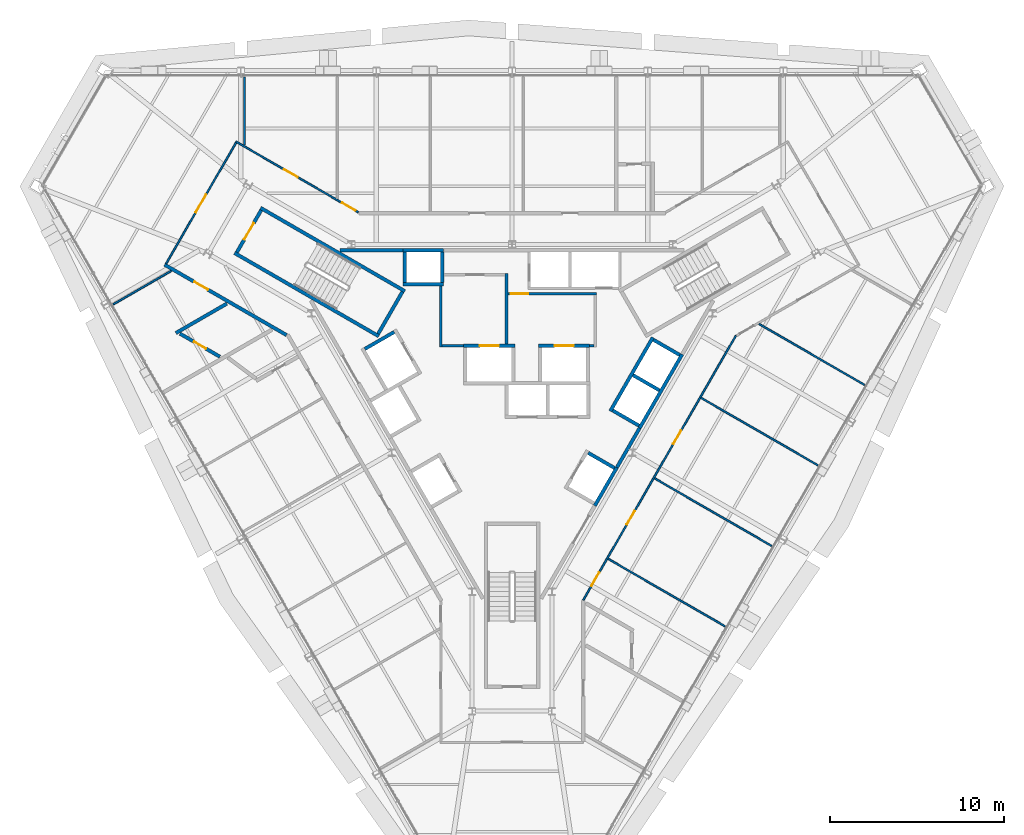
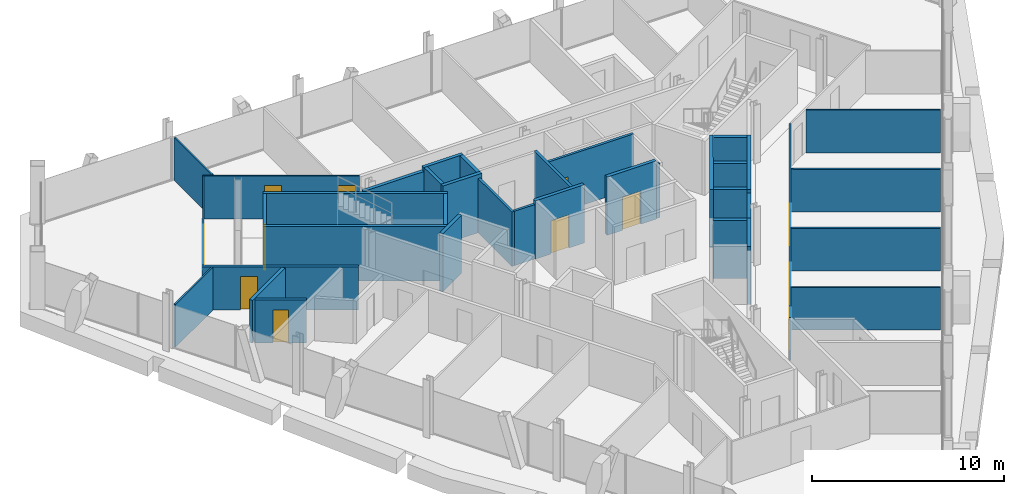
# One storey, part 13 of 17: 37 walls, 12 doors, 12 openings.
"""IFC4 building model written with IfcOpenShell, lengths in metres."""

import ifcopenshell
import ifcopenshell.guid

model = None  # the IFC model being written
_history = None  # IfcOwnerHistory: only IFC2X3 demands one
_inside = {}  # id of a spatial element -> (the spatial element, [elements in it])
_under = {}  # id of a project, library or spatial element -> (it, [spatial elements below it])
_declared = {}  # id of a project -> (the project, [libraries it declares])
_typed = {}  # id of a type object -> (the type object, [elements of that type])
_made_of = {}  # id of a material, layer set ... -> (it, [elements and type objects made of it])


def new_model(schema):
    """Start an empty IFC model of exactly this schema.

    Asked for "IFC4X3", IfcOpenShell would pick the latest addendum, in which some entities
    have other attributes; the version numbers below select the first issue.
    IFC2X3 requires an IfcOwnerHistory on every rooted entity: one is made here for all.
    """
    global model, _history
    if schema == "IFC4X3":
        model = ifcopenshell.file(schema_version=(4, 3, 0, 0))
    else:
        model = ifcopenshell.file(schema=schema)
    _inside.clear()
    _under.clear()
    _declared.clear()
    _typed.clear()
    _made_of.clear()
    _history = None
    if model.schema == "IFC2X3":
        org = make("IfcOrganization", Name="unknown")
        user = make(
            "IfcPersonAndOrganization",
            ThePerson=make("IfcPerson", FamilyName="unknown"),
            TheOrganization=org,
        )
        app = make(
            "IfcApplication",
            ApplicationDeveloper=org,
            Version="unknown",
            ApplicationFullName="unknown",
            ApplicationIdentifier="unknown",
        )
        _history = make(
            "IfcOwnerHistory",
            OwningUser=user,
            OwningApplication=app,
            ChangeAction="ADDED",
            CreationDate=0,
        )
    return model


def make(cls, **values):
    """One entity of the class cls with the attributes given. An attribute that is None is left unset."""
    return model.create_entity(
        cls, **{name: value for name, value in values.items() if value is not None}
    )


def rooted(cls, **values):
    """An entity with a GlobalId (a new one), such as an element, a storey or a relation."""
    return make(cls, GlobalId=ifcopenshell.guid.new(), OwnerHistory=_history, **values)


def si_unit(unit_type, name, prefix=None):
    """IfcSIUnit, for example si_unit("LENGTHUNIT", "METRE", prefix="MILLI")."""
    return make("IfcSIUnit", UnitType=unit_type, Prefix=prefix, Name=name)


def assignment(units):
    """IfcUnitAssignment: the units of a project."""
    return None if units is None else make("IfcUnitAssignment", Units=units)


def point(xyz):
    """IfcCartesianPoint."""
    return None if xyz is None else make("IfcCartesianPoint", Coordinates=xyz)


def direction(xyz):
    """IfcDirection."""
    return None if xyz is None else make("IfcDirection", DirectionRatios=xyz)


def frame(location, z_axis=None, x_axis=None):
    """IfcAxis2Placement3D, a coordinate frame: its origin and axes. An axis left out is left unset."""
    return make(
        "IfcAxis2Placement3D",
        Location=point(location),
        Axis=direction(z_axis),
        RefDirection=direction(x_axis),
    )


def frame_2d(location, x_axis=None):
    """IfcAxis2Placement2D, a coordinate frame in the plane: its origin and x axis."""
    return make(
        "IfcAxis2Placement2D", Location=point(location), RefDirection=direction(x_axis)
    )


def origin():
    """The frame at (0, 0, 0) with its axes left unset."""
    return frame((0.0, 0.0, 0.0))


def place(relative_to, where):
    """IfcLocalPlacement: puts the frame where relative to a parent placement (None: the world)."""
    return make(
        "IfcLocalPlacement", PlacementRelTo=relative_to, RelativePlacement=where
    )


def context(
    kind, dimensions, precision=None, world=None, true_north=None, identifier=None
):
    """IfcGeometricRepresentationContext, for example the 3D "Model" context."""
    return make(
        "IfcGeometricRepresentationContext",
        ContextIdentifier=identifier,
        ContextType=kind,
        CoordinateSpaceDimension=dimensions,
        Precision=precision,
        WorldCoordinateSystem=world,
        TrueNorth=true_north,
    )


def subcontext(parent, identifier, kind, view, scale=None):
    """IfcGeometricRepresentationSubContext, for example "Body" below "Model"."""
    return make(
        "IfcGeometricRepresentationSubContext",
        ContextIdentifier=identifier,
        ContextType=kind,
        ParentContext=parent,
        TargetScale=scale,
        TargetView=view,
    )


def project(units=None, contexts=None):
    """IfcProject with its units and contexts."""
    return rooted(
        "IfcProject",
        Name="project",
        RepresentationContexts=contexts,
        UnitsInContext=assignment(units),
    )


def spatial(cls, under=None, at=None, **own):
    """A site, building, storey or space (cls), placed at a placement, below another one or the project."""
    s = rooted(cls, ObjectPlacement=at, **own)
    if under is not None:
        _under.setdefault(under.id(), (under, []))[1].append(s)
    return s


def profile(cls, at=None, kind="AREA", **sizes):
    """A parametric profile (cls). Its sizes go by their IFC names, for example OverallWidth=200.0."""
    return make(cls, ProfileType=kind, Position=at, **sizes)


def rectangle(**sizes):
    """IfcRectangleProfileDef."""
    return profile("IfcRectangleProfileDef", **sizes)


def extrude(swept, where, along, depth):
    """IfcExtrudedAreaSolid: the profile swept, set in the frame where, extruded along a direction by depth."""
    return make(
        "IfcExtrudedAreaSolid",
        SweptArea=swept,
        Position=where,
        ExtrudedDirection=direction(along),
        Depth=depth,
    )


def shape(context_of_items, identifier, shape_type, items):
    """IfcShapeRepresentation: the items that make up one representation, for example the "Body"."""
    return make(
        "IfcShapeRepresentation",
        ContextOfItems=context_of_items,
        RepresentationIdentifier=identifier,
        RepresentationType=shape_type,
        Items=items,
    )


def material(Name=None, Category=None):
    """IfcMaterial."""
    return make("IfcMaterial", Name=Name, Category=Category)


def layer(
    of_material, thickness, ventilated=None, Name=None, Category=None, Priority=None
):
    """IfcMaterialLayer: one layer of a wall or slab, of a material (None: an air gap)."""
    return make(
        "IfcMaterialLayer",
        Material=of_material,
        LayerThickness=thickness,
        IsVentilated=ventilated,
        Name=Name,
        Category=Category,
        Priority=Priority,
    )


def layer_set(layers, Name=None):
    """IfcMaterialLayerSet."""
    return make("IfcMaterialLayerSet", MaterialLayers=layers, LayerSetName=Name)


def made_of(thing, what):
    """Note that an element or type object is made of a material, layer set ...; save() writes the relation."""
    if what is not None:
        _made_of.setdefault(what.id(), (what, []))[1].append(thing)
    return thing


def type_object(cls, material=None, **own):
    """A type object (cls), such as IfcWallType, which elements share."""
    return made_of(rooted(cls, **own), material)


def element(
    cls,
    number,
    at=None,
    inside=None,
    cuts=None,
    type_object=None,
    material=None,
    context=None,
    identifier="Body",
    shape_type=None,
    held_by="IfcProductDefinitionShape",
    body=None,
    shapes=None,
    **own,
):
    """One element of the class cls, such as IfcWall. Its Tag is "e" and its number.

    at: its placement. inside: the storey or other place that contains it. cuts: it is an
    opening in that element (IfcRelVoidsElement). A single representation is given by context,
    identifier, shape_type and body (its items); several are given by shapes. held_by: the class
    of the entity that holds the representations. save() writes the other relations.
    """
    e = rooted(cls, Tag="e%d" % number, ObjectPlacement=at, **own)
    if body is not None:
        shapes = [shape(context, identifier, shape_type, body)]
    if shapes is not None:
        e.Representation = make(held_by, Representations=shapes)
    if inside is not None:
        _inside.setdefault(inside.id(), (inside, []))[1].append(e)
    if cuts is not None:
        rooted(
            "IfcRelVoidsElement", RelatingBuildingElement=cuts, RelatedOpeningElement=e
        )
    if type_object is not None:
        _typed.setdefault(type_object.id(), (type_object, []))[1].append(e)
    return made_of(e, material)


def fill(opening, filler):
    """IfcRelFillsElement: the door or window that sits in an opening."""
    return rooted(
        "IfcRelFillsElement",
        RelatingOpeningElement=opening,
        RelatedBuildingElement=filler,
    )


def aggregate(whole, parts):
    """IfcRelAggregates: a whole, such as a stair, and the parts it consists of."""
    return rooted("IfcRelAggregates", RelatingObject=whole, RelatedObjects=parts)


def save(model, path):
    """Write the relations noted so far, then the file.

    IfcRelAggregates (storeys below a building ...), IfcRelContainedInSpatialStructure (elements
    in a storey), IfcRelDefinesByType, IfcRelAssociatesMaterial and IfcRelDeclares: one each for
    every whole, place, type object, material and project.
    """
    for whole, parts in _under.values():
        aggregate(whole, parts)
    for where, things in _inside.values():
        rooted(
            "IfcRelContainedInSpatialStructure",
            RelatedElements=things,
            RelatingStructure=where,
        )
    for kind, things in _typed.values():
        rooted("IfcRelDefinesByType", RelatedObjects=things, RelatingType=kind)
    for what, things in _made_of.values():
        rooted("IfcRelAssociatesMaterial", RelatedObjects=things, RelatingMaterial=what)
    for by, libraries in _declared.values():
        rooted("IfcRelDeclares", RelatingContext=by, RelatedDefinitions=libraries)
    model.write(path)


model = new_model("IFC4")

# Units and contexts
model_context = context("Model", 3, precision=1e-05, world=origin(), true_north=direction((0.0, 1.0)))
body_context = subcontext(model_context, "Body", "Model", "MODEL_VIEW")
ifc_project = project(units=[si_unit("LENGTHUNIT", "METRE"), si_unit("AREAUNIT", "SQUARE_METRE"), si_unit("VOLUMEUNIT", "CUBIC_METRE"), si_unit("PLANEANGLEUNIT", "RADIAN"), si_unit("MASSUNIT", "GRAM", prefix="KILO")], contexts=[model_context])

# Site, building, storey
site_placement = place(None, origin())
site = spatial("IfcSite", under=ifc_project, at=site_placement, CompositionType="ELEMENT")
building_placement = place(site_placement, origin())
building = spatial("IfcBuilding", under=site, at=building_placement, Name="Verrane Prism Tower", CompositionType="ELEMENT")
storey_placement = place(building_placement, frame((0.0, 0.0, 182.10009765625)))
storey = spatial("IfcBuildingStorey", under=building, at=storey_placement, Name="L45", CompositionType="ELEMENT", Elevation=182.10009765625)

# Walls
ifc_material_1 = material(Name="Gypsum board partition", Category="other")
ifc_layer_1 = layer(ifc_material_1, 0.199951171875)
ifc_layer_set_1 = layer_set([ifc_layer_1], Name="CW-200 core boundary wall 2 h")
wall_type_1 = type_object("IfcWallType", Name="CW-200 core boundary wall 2 h", PredefinedType="PARTITIONING", material=ifc_layer_set_1)
wall_1_placement = place(storey_placement, frame((-9.907958984375, 7.659912109375, 0.0), z_axis=(0.0, 0.0, 1.0), x_axis=(1.0, 0.0, 0.0)))
element("IfcWall", 1, at=wall_1_placement, inside=storey, type_object=wall_type_1, Name="Core boundary wall CW3-002", PredefinedType="PARTITIONING", context=body_context, shape_type="SweptSolid", body=[
    extrude(rectangle(XDim=3.620849609375, YDim=0.199951171875, at=frame_2d((1.810546875, 0.0))), origin(), (0.0, 0.0, 1.0), 3.449951171875),
])
wall_2_placement = place(storey_placement, frame((6.0419921875, -4.85498046875, 0.0), z_axis=(0.0, 0.0, 1.0), x_axis=(0.500252727967, 0.865879442048, 0.0)))
element("IfcWall", 2, at=wall_2_placement, inside=storey, type_object=wall_type_1, Name="Core boundary wall CW3-007", PredefinedType="PARTITIONING", context=body_context, shape_type="SweptSolid", body=[
    extrude(rectangle(XDim=2.616943359375, YDim=0.199951171875, at=frame_2d((1.30859375, 0.0))), origin(), (0.0, 0.0, 1.0), 3.449951171875),
])

# Wall, opening, door
ifc_material_2 = material(Name="Concrete C40/50", Category="concrete")
ifc_layer_2 = layer(ifc_material_2, 0.199951171875)
ifc_layer_set_2 = layer_set([ifc_layer_2], Name="CW-200 stair core wall concrete C40/50 3 h")
wall_type_2 = type_object("IfcWallType", Name="CW-200 stair core wall concrete C40/50 3 h", PredefinedType="PARTITIONING", material=ifc_layer_set_2)
wall_3_placement = place(storey_placement, frame((-14.455322265625, 9.96240234375, 0.0), z_axis=(0.0, 0.0, 1.0), x_axis=(-0.500049511043, -0.865996816683, 0.0)))
wall_3 = element("IfcWall", 3, at=wall_3_placement, inside=storey, type_object=wall_type_2, Name="Stair 2 enclosure wall", PredefinedType="PARTITIONING", context=body_context, shape_type="SweptSolid", body=[
    extrude(rectangle(XDim=2.800048828125, YDim=0.199951171875, at=frame_2d((1.39990234375, 0.0))), origin(), (0.0, 0.0, 1.0), 3.449951171875),
])
opening_1_placement = place(wall_3_placement, frame((0.849853515625, 0.0, 0.0)))
opening_1 = element("IfcOpeningElement", 4, at=opening_1_placement, cuts=wall_3, Name="Opening D44501", PredefinedType="OPENING", context=body_context, shape_type="SweptSolid", body=[
    extrude(rectangle(XDim=1.10009765625, YDim=2.10009765625, at=frame_2d((0.550048828125, 1.050048828125))), frame((0.0, 0.10986328125, 0.0), z_axis=(0.0, -1.0, 0.0), x_axis=(1.0, 0.0, 0.0)), (0.0, 0.0, 1.0), 0.219970703125),
])
ifc_material_3 = material(Name="Timber veneered door leaf", Category="wood")
door_type_1 = type_object("IfcDoorType", Name="DR-1100x2100 FD90 single leaf stair", OperationType="NOTDEFINED", PredefinedType="DOOR", material=ifc_material_3)
door_1_placement = place(opening_1_placement, origin())
door_1 = element("IfcDoor", 5, at=door_1_placement, inside=storey, type_object=door_type_1, Name="Stair 2 door", OperationType="SINGLE_SWING_RIGHT", OverallHeight=2.10009765625, OverallWidth=1.10009765625, PredefinedType="DOOR", context=body_context, shape_type="SweptSolid", body=[
    extrude(rectangle(XDim=1.10009765625, YDim=2.10009765625, at=frame_2d((0.550048828125, 1.050048828125))), frame((0.0, 0.02490234375, 0.0), z_axis=(0.0, -1.0, 0.0), x_axis=(1.0, 0.0, 0.0)), (0.0, 0.0, 1.0), 0.050048828125),
])
fill(opening_1, door_1)

# Walls
for number, where, z_axis, x_axis, name in (
    (6, (-7.67822265625, 2.700927734375, 0.0), (0.0, 0.0, 1.0), (-0.866019993635, 0.500009370536, 0.0), "Stair 2 enclosure wall"),
    (7, (-6.17822265625, 5.299072265625, 0.0), (0.0, 0.0, 1.0), (-0.866019993635, 0.500009370536, 0.0), "Stair 2 enclosure wall"),
):
    element("IfcWall", number, at=place(storey_placement, frame(where, z_axis=z_axis, x_axis=x_axis)), inside=storey, type_object=wall_type_2, Name=name, PredefinedType="PARTITIONING", context=body_context, shape_type="SweptSolid", body=[
        extrude(rectangle(XDim=9.599853515625, YDim=0.199951171875, at=frame_2d((4.7998046875, 0.0))), origin(), (0.0, 0.0, 1.0), 3.449951171875),
    ])
wall_4_placement = place(storey_placement, frame((-6.314697265625, 5.262451171875, 0.0), z_axis=(0.0, 0.0, 1.0), x_axis=(-0.500049511043, -0.865996816683, 0.0)))
element("IfcWall", 8, at=wall_4_placement, inside=storey, type_object=wall_type_2, Name="Stair 2 enclosure wall", PredefinedType="PARTITIONING", context=body_context, shape_type="SweptSolid", body=[
    extrude(rectangle(XDim=2.800048828125, YDim=0.199951171875, at=frame_2d((1.39990234375, 0.0))), origin(), (0.0, 0.0, 1.0), 3.449951171875),
])

# Wall, opening, door
ifc_material_4 = material(Name="Gypsum board shaft wall assembly", Category="other")
ifc_layer_3 = layer(ifc_material_4, 0.199951171875)
ifc_layer_set_3 = layer_set([ifc_layer_3], Name="HW-200 lift shaft wall 2 h")
wall_type_3 = type_object("IfcWallType", Name="HW-200 lift shaft wall 2 h", PredefinedType="PARTITIONING", material=ifc_layer_set_3)
wall_5_placement = place(storey_placement, frame((-2.784912109375, 2.14990234375, 0.0), z_axis=(0.0, 0.0, 1.0), x_axis=(1.0, 0.0, 0.0)))
wall_5 = element("IfcWall", 9, at=wall_5_placement, inside=storey, type_object=wall_type_3, Name="Lift shaft wall", PredefinedType="PARTITIONING", context=body_context, shape_type="SweptSolid", body=[
    extrude(rectangle(XDim=2.949951171875, YDim=0.199951171875, at=frame_2d((1.47509765625, 0.0))), origin(), (0.0, 0.0, 1.0), 3.699951171875),
])
opening_2_placement = place(wall_5_placement, frame((0.925048828125, 0.0, 0.0)))
opening_2 = element("IfcOpeningElement", 10, at=opening_2_placement, cuts=wall_5, Name="Opening D44507", PredefinedType="OPENING", context=body_context, shape_type="SweptSolid", body=[
    extrude(rectangle(XDim=1.10009765625, YDim=2.10009765625, at=frame_2d((0.550048828125, 1.050048828125))), frame((0.0, 0.10986328125, 0.0), z_axis=(0.0, -1.0, 0.0), x_axis=(1.0, 0.0, 0.0)), (0.0, 0.0, 1.0), 0.219970703125),
])
ifc_material_5 = material(Name="Stainless steel sliding landing door", Category="steel")
door_type_2 = type_object("IfcDoorType", Name="LD-1100x2100 lift landing door FD90 sliding", OperationType="NOTDEFINED", PredefinedType="DOOR", material=ifc_material_5)
door_2_placement = place(opening_2_placement, origin())
door_2 = element("IfcDoor", 11, at=door_2_placement, inside=storey, type_object=door_type_2, Name="Fire service lift 1 landing door", OperationType="SLIDING_TO_LEFT", OverallHeight=2.10009765625, OverallWidth=1.10009765625, PredefinedType="DOOR", context=body_context, shape_type="SweptSolid", body=[
    extrude(rectangle(XDim=1.10009765625, YDim=2.10009765625, at=frame_2d((0.550048828125, 1.050048828125))), frame((0.0, 0.02490234375, 0.0), z_axis=(0.0, -1.0, 0.0), x_axis=(1.0, 0.0, 0.0)), (0.0, 0.0, 1.0), 0.050048828125),
])
fill(opening_2, door_2)

wall_6_placement = place(storey_placement, frame((1.52490234375, 2.14990234375, 0.0), z_axis=(0.0, 0.0, 1.0), x_axis=(1.0, 0.0, 0.0)))
wall_6 = element("IfcWall", 12, at=wall_6_placement, inside=storey, type_object=wall_type_3, Name="Lift shaft wall", PredefinedType="PARTITIONING", context=body_context, shape_type="SweptSolid", body=[
    extrude(rectangle(XDim=2.9501953125, YDim=0.199951171875, at=frame_2d((1.47509765625, 0.0))), origin(), (0.0, 0.0, 1.0), 3.699951171875),
])
opening_3_placement = place(wall_6_placement, frame((0.925048828125, 0.0, 0.0)))
opening_3 = element("IfcOpeningElement", 13, at=opening_3_placement, cuts=wall_6, Name="Opening D44508", PredefinedType="OPENING", context=body_context, shape_type="SweptSolid", body=[
    extrude(rectangle(XDim=1.10009765625, YDim=2.10009765625, at=frame_2d((0.550048828125, 1.050048828125))), frame((0.0, 0.10986328125, 0.0), z_axis=(0.0, -1.0, 0.0), x_axis=(1.0, 0.0, 0.0)), (0.0, 0.0, 1.0), 0.219970703125),
])
door_3_placement = place(opening_3_placement, origin())
door_3 = element("IfcDoor", 14, at=door_3_placement, inside=storey, type_object=door_type_2, Name="Fire service lift 2 landing door", OperationType="SLIDING_TO_RIGHT", OverallHeight=2.10009765625, OverallWidth=1.10009765625, PredefinedType="DOOR", context=body_context, shape_type="SweptSolid", body=[
    extrude(rectangle(XDim=1.10009765625, YDim=2.10009765625, at=frame_2d((0.550048828125, 1.050048828125))), frame((0.0, 0.02490234375, 0.0), z_axis=(0.0, -1.0, 0.0), x_axis=(1.0, 0.0, 0.0)), (0.0, 0.0, 1.0), 0.050048828125),
])
fill(opening_3, door_3)

# Walls
for number, where, z_axis, x_axis, name in (
    (15, (-6.284912109375, 5.7099609375, 0.0), (0.0, 0.0, 1.0), (1.0, 0.0, 0.0), "Lift shaft wall"),
    (16, (-6.284912109375, 7.659912109375, 0.0), (0.0, 0.0, 1.0), (1.0, 0.0, 0.0), "Lift shaft wall"),
):
    element("IfcWall", number, at=place(storey_placement, frame(where, z_axis=z_axis, x_axis=x_axis)), inside=storey, type_object=wall_type_3, Name=name, PredefinedType="PARTITIONING", context=body_context, shape_type="SweptSolid", body=[
        extrude(rectangle(XDim=2.349853515625, YDim=0.199951171875, at=frame_2d((1.1748046875, 0.0))), origin(), (0.0, 0.0, 1.0), 3.699951171875),
    ])
wall_7_placement = place(storey_placement, frame((-8.48046875, 1.968505859375, 0.0), z_axis=(0.0, 0.0, 1.0), x_axis=(0.866000020948, 0.500043961785, 0.0)))
element("IfcWall", 17, at=wall_7_placement, inside=storey, type_object=wall_type_3, Name="Lift shaft wall", PredefinedType="PARTITIONING", context=body_context, shape_type="SweptSolid", body=[
    extrude(rectangle(XDim=1.949951171875, YDim=0.199951171875, at=frame_2d((0.97509765625, 0.0))), origin(), (0.0, 0.0, 1.0), 3.699951171875),
])
wall_8_placement = place(storey_placement, frame((4.766357421875, -7.064697265625, 0.0), z_axis=(0.0, 0.0, 1.0), x_axis=(0.499948979701, 0.866054858364, 0.0)))
element("IfcWall", 18, at=wall_8_placement, inside=storey, type_object=wall_type_3, Name="Lift shaft wall", PredefinedType="PARTITIONING", context=body_context, shape_type="SweptSolid", body=[
    extrude(rectangle(XDim=2.550048828125, YDim=0.199951171875, at=frame_2d((1.27490234375, 0.0))), origin(), (0.0, 0.0, 1.0), 3.699951171875),
])
wall_9_placement = place(storey_placement, frame((7.351318359375, -2.587158203125, 0.0), z_axis=(0.0, 0.0, 1.0), x_axis=(0.500002801628, 0.866023786258, 0.0)))
element("IfcWall", 19, at=wall_9_placement, inside=storey, type_object=wall_type_3, Name="Lift shaft wall", PredefinedType="PARTITIONING", context=body_context, shape_type="SweptSolid", body=[
    extrude(rectangle(XDim=4.89990234375, YDim=0.199951171875, at=frame_2d((2.449951171875, 0.0))), origin(), (0.0, 0.0, 1.0), 3.699951171875),
])
wall_10_placement = place(storey_placement, frame((5.66259765625, -1.6123046875, 0.0), z_axis=(0.0, 0.0, 1.0), x_axis=(0.49998122708, 0.866036242063, 0.0)))
element("IfcWall", 20, at=wall_10_placement, inside=storey, type_object=wall_type_3, Name="Lift shaft wall", PredefinedType="PARTITIONING", context=body_context, shape_type="SweptSolid", body=[
    extrude(rectangle(XDim=4.900146484375, YDim=0.199951171875, at=frame_2d((2.4501953125, 0.0))), origin(), (0.0, 0.0, 1.0), 3.699951171875),
])
for number, where, z_axis, x_axis, name in (
    (21, (-4.034912109375, 5.81005859375, 0.0), (0.0, 0.0, 1.0), (0.0, 1.0, 0.0), "Lift shaft wall"),
    (22, (-6.18505859375, 5.81005859375, 0.0), (0.0, 0.0, 1.0), (0.0, 1.0, 0.0), "Lift shaft wall"),
):
    element("IfcWall", number, at=place(storey_placement, frame(where, z_axis=z_axis, x_axis=x_axis)), inside=storey, type_object=wall_type_3, Name=name, PredefinedType="PARTITIONING", context=body_context, shape_type="SweptSolid", body=[
        extrude(rectangle(XDim=1.75, YDim=0.199951171875, at=frame_2d((0.875, 0.0))), origin(), (0.0, 0.0, 1.0), 3.699951171875),
    ])
wall_11_placement = place(storey_placement, frame((9.66455078125, 1.61962890625, 0.0), z_axis=(0.0, 0.0, 1.0), x_axis=(-0.866002029911, 0.500040482552, 0.0)))
element("IfcWall", 23, at=wall_11_placement, inside=storey, type_object=wall_type_3, Name="Lift shaft wall", PredefinedType="PARTITIONING", context=body_context, shape_type="SweptSolid", body=[
    extrude(rectangle(XDim=1.749755859375, YDim=0.199951171875, at=frame_2d((0.875, 0.0))), origin(), (0.0, 0.0, 1.0), 3.699951171875),
])
for number, where, z_axis, x_axis, name in (
    (24, (8.48974609375, -0.41552734375, 0.0), (0.0, 0.0, 1.0), (-0.866036909293, 0.499980071345, 0.0), "Lift shaft wall"),
    (25, (7.314697265625, -2.45068359375, 0.0), (0.0, 0.0, 1.0), (-0.866036909293, 0.499980071345, 0.0), "Lift shaft wall"),
):
    element("IfcWall", number, at=place(storey_placement, frame(where, z_axis=z_axis, x_axis=x_axis)), inside=storey, type_object=wall_type_3, Name=name, PredefinedType="PARTITIONING", context=body_context, shape_type="SweptSolid", body=[
        extrude(rectangle(XDim=1.75, YDim=0.199951171875, at=frame_2d((0.875, 0.0))), origin(), (0.0, 0.0, 1.0), 3.699951171875),
    ])
wall_12_placement = place(storey_placement, frame((5.904541015625, -4.892822265625, 0.0), z_axis=(0.0, 0.0, 1.0), x_axis=(-0.866002029911, 0.500040482552, 0.0)))
element("IfcWall", 26, at=wall_12_placement, inside=storey, type_object=wall_type_3, Name="Lift shaft wall", PredefinedType="PARTITIONING", context=body_context, shape_type="SweptSolid", body=[
    extrude(rectangle(XDim=1.749755859375, YDim=0.199951171875, at=frame_2d((0.875, 0.0))), origin(), (0.0, 0.0, 1.0), 3.699951171875),
])
ifc_material_6 = material(Name="Gypsum board partition", Category="other")
ifc_layer_4 = layer(ifc_material_6, 0.14990234375)
ifc_layer_set_4 = layer_set([ifc_layer_4], Name="LF-150 firefighting lobby wall 1 h")
wall_type_4 = type_object("IfcWallType", Name="LF-150 firefighting lobby wall 1 h", PredefinedType="PARTITIONING", material=ifc_layer_set_4)
wall_13_placement = place(storey_placement, frame((-4.10009765625, 2.0849609375, 0.0), z_axis=(0.0, 0.0, 1.0), x_axis=(0.0, 1.0, 0.0)))
element("IfcWall", 27, at=wall_13_placement, inside=storey, type_object=wall_type_4, Name="Firefighting lobby wall LF1-001", PredefinedType="PARTITIONING", context=body_context, shape_type="SweptSolid", body=[
    extrude(rectangle(XDim=3.52294921875, YDim=0.14990234375, at=frame_2d((1.761474609375, 0.0))), origin(), (0.0, 0.0, 1.0), 3.449951171875),
])
wall_14_placement = place(storey_placement, frame((-4.02490234375, 2.159912109375, 0.0), z_axis=(0.0, 0.0, 1.0), x_axis=(1.0, 0.0, 0.0)))
element("IfcWall", 28, at=wall_14_placement, inside=storey, type_object=wall_type_4, Name="Firefighting lobby wall LF1-002", PredefinedType="PARTITIONING", context=body_context, shape_type="SweptSolid", body=[
    extrude(rectangle(XDim=1.23779296875, YDim=0.14990234375, at=frame_2d((0.618896484375, 0.0))), origin(), (0.0, 0.0, 1.0), 3.449951171875),
])
wall_15_placement = place(storey_placement, frame((-0.320068359375, 2.251953125, 0.0), z_axis=(0.0, 0.0, 1.0), x_axis=(0.0, 1.0, 0.0)))
element("IfcWall", 29, at=wall_15_placement, inside=storey, type_object=wall_type_4, Name="Firefighting lobby wall LF1-004", PredefinedType="PARTITIONING", context=body_context, shape_type="SweptSolid", body=[
    extrude(rectangle(XDim=4.06298828125, YDim=0.14990234375, at=frame_2d((2.031494140625, 0.0))), origin(), (0.0, 0.0, 1.0), 3.449951171875),
])

# Wall, opening, door
wall_16_placement = place(storey_placement, frame((-0.2451171875, 5.139892578125, 0.0), z_axis=(0.0, 0.0, 1.0), x_axis=(1.0, 0.0, 0.0)))
wall_16 = element("IfcWall", 30, at=wall_16_placement, inside=storey, type_object=wall_type_4, Name="Firefighting lobby wall LF1-005", PredefinedType="PARTITIONING", context=body_context, shape_type="SweptSolid", body=[
    extrude(rectangle(XDim=5.110107421875, YDim=0.14990234375, at=frame_2d((2.55517578125, 0.0))), origin(), (0.0, 0.0, 1.0), 3.449951171875),
])
opening_4_placement = place(wall_16_placement, frame((0.175048828125, 0.0, 0.0)))
opening_4 = element("IfcOpeningElement", 31, at=opening_4_placement, cuts=wall_16, Name="Opening D44512", PredefinedType="OPENING", context=body_context, shape_type="SweptSolid", body=[
    extrude(rectangle(XDim=1.0, YDim=2.10009765625, at=frame_2d((0.5, 1.050048828125))), frame((0.0, 0.0849609375, 0.0), z_axis=(0.0, -1.0, 0.0), x_axis=(1.0, 0.0, 0.0)), (0.0, 0.0, 1.0), 0.169921875),
])
ifc_material_7 = material(Name="Timber veneered door leaf", Category="wood")
door_type_3 = type_object("IfcDoorType", Name="DR-1000x2100 FD60 single leaf firefighting lobby", OperationType="NOTDEFINED", PredefinedType="DOOR", material=ifc_material_7)
door_4_placement = place(opening_4_placement, origin())
door_4 = element("IfcDoor", 32, at=door_4_placement, inside=storey, type_object=door_type_3, Name="Firefighting lobby door D44512", OperationType="SINGLE_SWING_LEFT", OverallHeight=2.10009765625, OverallWidth=1.0, PredefinedType="DOOR", context=body_context, shape_type="SweptSolid", body=[
    extrude(rectangle(XDim=1.0, YDim=2.10009765625, at=frame_2d((0.5, 1.050048828125))), frame((0.0, 0.02490234375, 0.0), z_axis=(0.0, -1.0, 0.0), x_axis=(1.0, 0.0, 0.0)), (0.0, 0.0, 1.0), 0.050048828125),
])
fill(opening_4, door_4)

# Walls
wall_17_placement = place(storey_placement, frame((4.47705078125, 2.159912109375, 0.0), z_axis=(0.0, 0.0, 1.0), x_axis=(1.0, 0.0, 0.0)))
element("IfcWall", 33, at=wall_17_placement, inside=storey, type_object=wall_type_4, Name="Firefighting lobby wall LF1-006", PredefinedType="PARTITIONING", context=body_context, shape_type="SweptSolid", body=[
    extrude(rectangle(XDim=0.238037109375, YDim=0.14990234375, at=frame_2d((0.119140625, 0.0))), origin(), (0.0, 0.0, 1.0), 3.449951171875),
])
ifc_material_8 = material(Name="Gypsum board partition", Category="other")
ifc_layer_5 = layer(ifc_material_8, 0.10009765625)
ifc_layer_set_5 = layer_set([ifc_layer_5], Name="PW-100 room partition")
wall_type_5 = type_object("IfcWallType", Name="PW-100 room partition", PredefinedType="PARTITIONING", material=ifc_layer_set_5)
wall_18_placement = place(storey_placement, frame((-22.982666015625, 4.5380859375, 0.0), z_axis=(0.0, 0.0, 1.0), x_axis=(0.865988254995, 0.500064338071, 0.0)))
element("IfcWall", 34, at=wall_18_placement, inside=storey, type_object=wall_type_5, Name="Room partition 001", PredefinedType="PARTITIONING", context=body_context, shape_type="SweptSolid", body=[
    extrude(rectangle(XDim=3.85302734375, YDim=0.10009765625, at=frame_2d((1.926513671875, 0.0))), origin(), (0.0, 0.0, 1.0), 2.712890625),
])

# Wall, opening, door
wall_19_placement = place(storey_placement, frame((-19.929931640625, 6.8876953125, 0.0), z_axis=(0.0, 0.0, 1.0), x_axis=(0.500413056211, 0.865786794294, 0.0)))
wall_19 = element("IfcWall", 35, at=wall_19_placement, inside=storey, type_object=wall_type_5, Name="Room partition 003", PredefinedType="PARTITIONING", context=body_context, shape_type="SweptSolid", body=[
    extrude(rectangle(XDim=8.047119140625, YDim=0.10009765625, at=frame_2d((4.0234375, 0.0))), origin(), (0.0, 0.0, 1.0), 2.712890625),
])
opening_5_placement = place(wall_19_placement, frame((3.39990234375, 0.0, 0.0)))
opening_5 = element("IfcOpeningElement", 36, at=opening_5_placement, cuts=wall_19, Name="Opening D44016", PredefinedType="OPENING", context=body_context, shape_type="SweptSolid", body=[
    extrude(rectangle(XDim=1.199951171875, YDim=2.10009765625, at=frame_2d((0.60009765625, 1.050048828125))), frame((0.0, 0.06005859375, 0.0), z_axis=(0.0, -1.0, 0.0), x_axis=(1.0, 0.0, 0.0)), (0.0, 0.0, 1.0), 0.1201171875),
])
ifc_material_9 = material(Name="Timber veneered door leaf", Category="wood")
door_type_4 = type_object("IfcDoorType", Name="DR-1200x2100 single leaf unit", OperationType="NOTDEFINED", PredefinedType="DOOR", material=ifc_material_9)
door_5_placement = place(opening_5_placement, origin())
door_5 = element("IfcDoor", 37, at=door_5_placement, inside=storey, type_object=door_type_4, Name="Living And Dining Room door", OperationType="SINGLE_SWING_RIGHT", OverallHeight=2.10009765625, OverallWidth=1.199951171875, PredefinedType="DOOR", context=body_context, shape_type="SweptSolid", body=[
    extrude(rectangle(XDim=1.199951171875, YDim=2.10009765625, at=frame_2d((0.60009765625, 1.050048828125))), frame((0.0, 0.02490234375, 0.0), z_axis=(0.0, -1.0, 0.0), x_axis=(1.0, 0.0, 0.0)), (0.0, 0.0, 1.0), 0.050048828125),
])
fill(opening_5, door_5)

# Wall, openings, doors
wall_20_placement = place(storey_placement, frame((-15.92138671875, 13.923095703125, 0.0), z_axis=(0.0, 0.0, 1.0), x_axis=(0.866088973199, -0.499889878377, 0.0)))
wall_20 = element("IfcWall", 38, at=wall_20_placement, inside=storey, type_object=wall_type_5, Name="Room partition 009", PredefinedType="PARTITIONING", context=body_context, shape_type="SweptSolid", body=[
    extrude(rectangle(XDim=8.162841796875, YDim=0.10009765625, at=frame_2d((4.08154296875, 0.0))), origin(), (0.0, 0.0, 1.0), 2.712890625),
])
opening_6_placement = place(wall_20_placement, frame((7.06005859375, 0.0, 0.0)))
opening_6 = element("IfcOpeningElement", 39, at=opening_6_placement, cuts=wall_20, Name="Opening D44014", PredefinedType="OPENING", context=body_context, shape_type="SweptSolid", body=[
    extrude(rectangle(XDim=0.89990234375, YDim=2.10009765625, at=frame_2d((0.449951171875, 1.050048828125))), frame((0.0, 0.06005859375, 0.0), z_axis=(0.0, -1.0, 0.0), x_axis=(1.0, 0.0, 0.0)), (0.0, 0.0, 1.0), 0.1201171875),
])
opening_7_placement = place(wall_20_placement, frame((3.22607421875, 0.0, 0.0)))
opening_7 = element("IfcOpeningElement", 40, at=opening_7_placement, cuts=wall_20, Name="Opening D44015", PredefinedType="OPENING", context=body_context, shape_type="SweptSolid", body=[
    extrude(rectangle(XDim=0.89990234375, YDim=2.10009765625, at=frame_2d((0.449951171875, 1.050048828125))), frame((0.0, 0.06005859375, 0.0), z_axis=(0.0, -1.0, 0.0), x_axis=(1.0, 0.0, 0.0)), (0.0, 0.0, 1.0), 0.1201171875),
])
ifc_material_10 = material(Name="Timber veneered door leaf", Category="wood")
door_type_5 = type_object("IfcDoorType", Name="DR-900x2100 single leaf unit", OperationType="NOTDEFINED", PredefinedType="DOOR", material=ifc_material_10)
door_6_placement = place(opening_6_placement, origin())
door_6 = element("IfcDoor", 41, at=door_6_placement, inside=storey, type_object=door_type_5, Name="Study door", OperationType="SINGLE_SWING_RIGHT", OverallHeight=2.10009765625, OverallWidth=0.89990234375, PredefinedType="DOOR", context=body_context, shape_type="SweptSolid", body=[
    extrude(rectangle(XDim=0.89990234375, YDim=2.10009765625, at=frame_2d((0.449951171875, 1.050048828125))), frame((0.0, 0.02490234375, 0.0), z_axis=(0.0, -1.0, 0.0), x_axis=(1.0, 0.0, 0.0)), (0.0, 0.0, 1.0), 0.050048828125),
])
fill(opening_6, door_6)
door_7_placement = place(opening_7_placement, origin())
door_7 = element("IfcDoor", 42, at=door_7_placement, inside=storey, type_object=door_type_5, Name="Study door", OperationType="SINGLE_SWING_LEFT", OverallHeight=2.10009765625, OverallWidth=0.89990234375, PredefinedType="DOOR", context=body_context, shape_type="SweptSolid", body=[
    extrude(rectangle(XDim=0.89990234375, YDim=2.10009765625, at=frame_2d((0.449951171875, 1.050048828125))), frame((0.0, 0.02490234375, 0.0), z_axis=(0.0, -1.0, 0.0), x_axis=(1.0, 0.0, 0.0)), (0.0, 0.0, 1.0), 0.050048828125),
])
fill(opening_7, door_7)

# Wall
wall_21_placement = place(storey_placement, frame((-15.422119140625, 13.7216796875, 0.0), z_axis=(0.0, 0.0, 1.0), x_axis=(0.0, 1.0, 0.0)))
element("IfcWall", 43, at=wall_21_placement, inside=storey, type_object=wall_type_5, Name="Room partition 010", PredefinedType="PARTITIONING", context=body_context, shape_type="SweptSolid", body=[
    extrude(rectangle(XDim=3.913330078125, YDim=0.10009765625, at=frame_2d((1.95654296875, 0.0))), origin(), (0.0, 0.0, 1.0), 2.712890625),
])

# Wall, openings, doors
wall_22_placement = place(storey_placement, frame((12.903076171875, 2.745361328125, 0.0), z_axis=(0.0, 0.0, 1.0), x_axis=(-0.499997333799, -0.866026943111, 0.0)))
wall_22 = element("IfcWall", 44, at=wall_22_placement, inside=storey, type_object=wall_type_5, Name="Room partition 027", PredefinedType="PARTITIONING", context=body_context, shape_type="SweptSolid", body=[
    extrude(rectangle(XDim=17.60595703125, YDim=0.10009765625, at=frame_2d((8.802978515625, 0.0))), origin(), (0.0, 0.0, 1.0), 2.712890625),
])
opening_8_placement = place(wall_22_placement, frame((15.756103515625, 0.0, 0.0)))
opening_8 = element("IfcOpeningElement", 45, at=opening_8_placement, cuts=wall_22, Name="Opening D44002", PredefinedType="OPENING", context=body_context, shape_type="SweptSolid", body=[
    extrude(rectangle(XDim=0.89990234375, YDim=2.10009765625, at=frame_2d((0.449951171875, 1.050048828125))), frame((0.0, 0.06005859375, 0.0), z_axis=(0.0, -1.0, 0.0), x_axis=(1.0, 0.0, 0.0)), (0.0, 0.0, 1.0), 0.1201171875),
])
opening_9_placement = place(wall_22_placement, frame((11.678955078125, 0.0, 0.0)))
opening_9 = element("IfcOpeningElement", 46, at=opening_9_placement, cuts=wall_22, Name="Opening D44004", PredefinedType="OPENING", context=body_context, shape_type="SweptSolid", body=[
    extrude(rectangle(XDim=0.89990234375, YDim=2.10009765625, at=frame_2d((0.449951171875, 1.050048828125))), frame((0.0, 0.06005859375, 0.0), z_axis=(0.0, -1.0, 0.0), x_axis=(1.0, 0.0, 0.0)), (0.0, 0.0, 1.0), 0.1201171875),
])
opening_10_placement = place(wall_22_placement, frame((6.323974609375, 0.0, 0.0)))
opening_10 = element("IfcOpeningElement", 47, at=opening_10_placement, cuts=wall_22, Name="Opening D44005", PredefinedType="OPENING", context=body_context, shape_type="SweptSolid", body=[
    extrude(rectangle(XDim=0.89990234375, YDim=2.10009765625, at=frame_2d((0.449951171875, 1.050048828125))), frame((0.0, 0.06005859375, 0.0), z_axis=(0.0, -1.0, 0.0), x_axis=(1.0, 0.0, 0.0)), (0.0, 0.0, 1.0), 0.1201171875),
])
ifc_material_11 = material(Name="Timber veneered door leaf", Category="wood")
door_type_6 = type_object("IfcDoorType", Name="DR-900x2100 single leaf inner", OperationType="NOTDEFINED", PredefinedType="DOOR", material=ifc_material_11)
door_8_placement = place(opening_8_placement, origin())
door_8 = element("IfcDoor", 48, at=door_8_placement, inside=storey, type_object=door_type_6, Name="Bedroom door", OperationType="SINGLE_SWING_LEFT", OverallHeight=2.10009765625, OverallWidth=0.89990234375, PredefinedType="DOOR", context=body_context, shape_type="SweptSolid", body=[
    extrude(rectangle(XDim=0.89990234375, YDim=2.10009765625, at=frame_2d((0.449951171875, 1.050048828125))), frame((0.0, 0.02490234375, 0.0), z_axis=(0.0, -1.0, 0.0), x_axis=(1.0, 0.0, 0.0)), (0.0, 0.0, 1.0), 0.050048828125),
])
fill(opening_8, door_8)
door_9_placement = place(opening_9_placement, origin())
door_9 = element("IfcDoor", 49, at=door_9_placement, inside=storey, type_object=door_type_5, Name="Study door", OperationType="SINGLE_SWING_LEFT", OverallHeight=2.10009765625, OverallWidth=0.89990234375, PredefinedType="DOOR", context=body_context, shape_type="SweptSolid", body=[
    extrude(rectangle(XDim=0.89990234375, YDim=2.10009765625, at=frame_2d((0.449951171875, 1.050048828125))), frame((0.0, 0.02490234375, 0.0), z_axis=(0.0, -1.0, 0.0), x_axis=(1.0, 0.0, 0.0)), (0.0, 0.0, 1.0), 0.050048828125),
])
fill(opening_9, door_9)
door_10_placement = place(opening_10_placement, origin())
door_10 = element("IfcDoor", 50, at=door_10_placement, inside=storey, type_object=door_type_5, Name="Study door", OperationType="SINGLE_SWING_RIGHT", OverallHeight=2.10009765625, OverallWidth=0.89990234375, PredefinedType="DOOR", context=body_context, shape_type="SweptSolid", body=[
    extrude(rectangle(XDim=0.89990234375, YDim=2.10009765625, at=frame_2d((0.449951171875, 1.050048828125))), frame((0.0, 0.02490234375, 0.0), z_axis=(0.0, -1.0, 0.0), x_axis=(1.0, 0.0, 0.0)), (0.0, 0.0, 1.0), 0.050048828125),
])
fill(opening_10, door_10)

# Walls
wall_23_placement = place(storey_placement, frame((5.53564453125, -10.12451171875, 0.0), z_axis=(0.0, 0.0, 1.0), x_axis=(0.866044474677, -0.49996696679, 0.0)))
element("IfcWall", 51, at=wall_23_placement, inside=storey, type_object=wall_type_5, Name="Room partition 028", PredefinedType="PARTITIONING", context=body_context, shape_type="SweptSolid", body=[
    extrude(rectangle(XDim=7.77880859375, YDim=0.10009765625, at=frame_2d((3.889404296875, 0.0))), origin(), (0.0, 0.0, 1.0), 2.712890625),
])
wall_24_placement = place(storey_placement, frame((8.213623046875, -5.486572265625, 0.0), z_axis=(0.0, 0.0, 1.0), x_axis=(0.866007344409, -0.500031278452, 0.0)))
element("IfcWall", 52, at=wall_24_placement, inside=storey, type_object=wall_type_5, Name="Room partition 033", PredefinedType="PARTITIONING", context=body_context, shape_type="SweptSolid", body=[
    extrude(rectangle(XDim=7.7783203125, YDim=0.10009765625, at=frame_2d((3.88916015625, 0.0))), origin(), (0.0, 0.0, 1.0), 2.712890625),
])
wall_25_placement = place(storey_placement, frame((10.88720703125, -0.845947265625, 0.0), z_axis=(0.0, 0.0, 1.0), x_axis=(0.866004841997, -0.500035612369, 0.0)))
element("IfcWall", 53, at=wall_25_placement, inside=storey, type_object=wall_type_5, Name="Room partition 035", PredefinedType="PARTITIONING", context=body_context, shape_type="SweptSolid", body=[
    extrude(rectangle(XDim=7.783203125, YDim=0.10009765625, at=frame_2d((3.8916015625, 0.0))), origin(), (0.0, 0.0, 1.0), 2.712890625),
])
wall_26_placement = place(storey_placement, frame((14.239990234375, 3.401611328125, 0.0), z_axis=(0.0, 0.0, 1.0), x_axis=(0.866018390239, -0.500012147621, 0.0)))
element("IfcWall", 54, at=wall_26_placement, inside=storey, type_object=wall_type_5, Name="Room partition 038", PredefinedType="PARTITIONING", context=body_context, shape_type="SweptSolid", body=[
    extrude(rectangle(XDim=7.003173828125, YDim=0.10009765625, at=frame_2d((3.50146484375, 0.0))), origin(), (0.0, 0.0, 1.0), 2.712890625),
])

# Wall, opening, door
ifc_material_12 = material(Name="Gypsum board partition", Category="other")
ifc_layer_6 = layer(ifc_material_12, 0.199951171875)
ifc_layer_set_6 = layer_set([ifc_layer_6], Name="PW-200 plumbing wall")
wall_type_6 = type_object("IfcWallType", Name="PW-200 plumbing wall", PredefinedType="PARTITIONING", material=ifc_layer_set_6)
wall_27_placement = place(storey_placement, frame((-12.994873046875, 2.76953125, 0.0), z_axis=(0.0, 0.0, 1.0), x_axis=(-0.866100425926, 0.499870035319, 0.0)))
wall_27 = element("IfcWall", 55, at=wall_27_placement, inside=storey, type_object=wall_type_6, Name="Plumbing wall 004", PredefinedType="PARTITIONING", context=body_context, shape_type="SweptSolid", body=[
    extrude(rectangle(XDim=8.114990234375, YDim=0.199951171875, at=frame_2d((4.0576171875, 0.0))), origin(), (0.0, 0.0, 1.0), 2.712890625),
])
opening_11_placement = place(wall_27_placement, frame((5.235107421875, 0.0, 0.0)))
opening_11 = element("IfcOpeningElement", 56, at=opening_11_placement, cuts=wall_27, Name="Opening D44017", PredefinedType="OPENING", context=body_context, shape_type="SweptSolid", body=[
    extrude(rectangle(XDim=0.89990234375, YDim=2.10009765625, at=frame_2d((0.449951171875, 1.050048828125))), frame((0.0, 0.10986328125, 0.0), z_axis=(0.0, -1.0, 0.0), x_axis=(1.0, 0.0, 0.0)), (0.0, 0.0, 1.0), 0.219970703125),
])
door_11_placement = place(opening_11_placement, origin())
door_11 = element("IfcDoor", 57, at=door_11_placement, inside=storey, type_object=door_type_6, Name="Master Bedroom door", OperationType="SINGLE_SWING_RIGHT", OverallHeight=2.10009765625, OverallWidth=0.89990234375, PredefinedType="DOOR", context=body_context, shape_type="SweptSolid", body=[
    extrude(rectangle(XDim=0.89990234375, YDim=2.10009765625, at=frame_2d((0.449951171875, 1.050048828125))), frame((0.0, 0.02490234375, 0.0), z_axis=(0.0, -1.0, 0.0), x_axis=(1.0, 0.0, 0.0)), (0.0, 0.0, 1.0), 0.050048828125),
])
fill(opening_11, door_11)

wall_28_placement = place(storey_placement, frame((-19.1357421875, 2.85107421875, 0.0), z_axis=(0.0, 0.0, 1.0), x_axis=(0.866008217664, -0.500029766052, 0.0)))
wall_28 = element("IfcWall", 58, at=wall_28_placement, inside=storey, type_object=wall_type_6, Name="Plumbing wall 005", PredefinedType="PARTITIONING", context=body_context, shape_type="SweptSolid", body=[
    extrude(rectangle(XDim=2.658935546875, YDim=0.199951171875, at=frame_2d((1.32958984375, 0.0))), origin(), (0.0, 0.0, 1.0), 2.712890625),
])
opening_12_placement = place(wall_28_placement, frame((0.929931640625, 0.0, 0.0)))
opening_12 = element("IfcOpeningElement", 59, at=opening_12_placement, cuts=wall_28, Name="Opening D44018", PredefinedType="OPENING", context=body_context, shape_type="SweptSolid", body=[
    extrude(rectangle(XDim=0.800048828125, YDim=2.10009765625, at=frame_2d((0.39990234375, 1.050048828125))), frame((0.0, 0.10986328125, 0.0), z_axis=(0.0, -1.0, 0.0), x_axis=(1.0, 0.0, 0.0)), (0.0, 0.0, 1.0), 0.219970703125),
])
ifc_material_13 = material(Name="Timber veneered door leaf", Category="wood")
door_type_7 = type_object("IfcDoorType", Name="DR-800x2100 single leaf bath", OperationType="NOTDEFINED", PredefinedType="DOOR", material=ifc_material_13)
door_12_placement = place(opening_12_placement, origin())
door_12 = element("IfcDoor", 60, at=door_12_placement, inside=storey, type_object=door_type_7, Name="Master Bathroom door", OperationType="SINGLE_SWING_RIGHT", OverallHeight=2.10009765625, OverallWidth=0.800048828125, PredefinedType="DOOR", context=body_context, shape_type="SweptSolid", body=[
    extrude(rectangle(XDim=0.800048828125, YDim=2.10009765625, at=frame_2d((0.39990234375, 1.050048828125))), frame((0.0, 0.02490234375, 0.0), z_axis=(0.0, -1.0, 0.0), x_axis=(1.0, 0.0, 0.0)), (0.0, 0.0, 1.0), 0.050048828125),
])
fill(opening_12, door_12)

# Wall
wall_29_placement = place(storey_placement, frame((-19.36962890625, 2.885986328125, 0.0), z_axis=(0.0, 0.0, 1.0), x_axis=(0.866036909293, 0.499980071345, 0.0)))
element("IfcWall", 61, at=wall_29_placement, inside=storey, type_object=wall_type_6, Name="Plumbing wall 006", PredefinedType="PARTITIONING", context=body_context, shape_type="SweptSolid", body=[
    extrude(rectangle(XDim=3.390869140625, YDim=0.199951171875, at=frame_2d((1.6953125, 0.0))), origin(), (0.0, 0.0, 1.0), 2.712890625),
])

save(model, "model.ifc")
